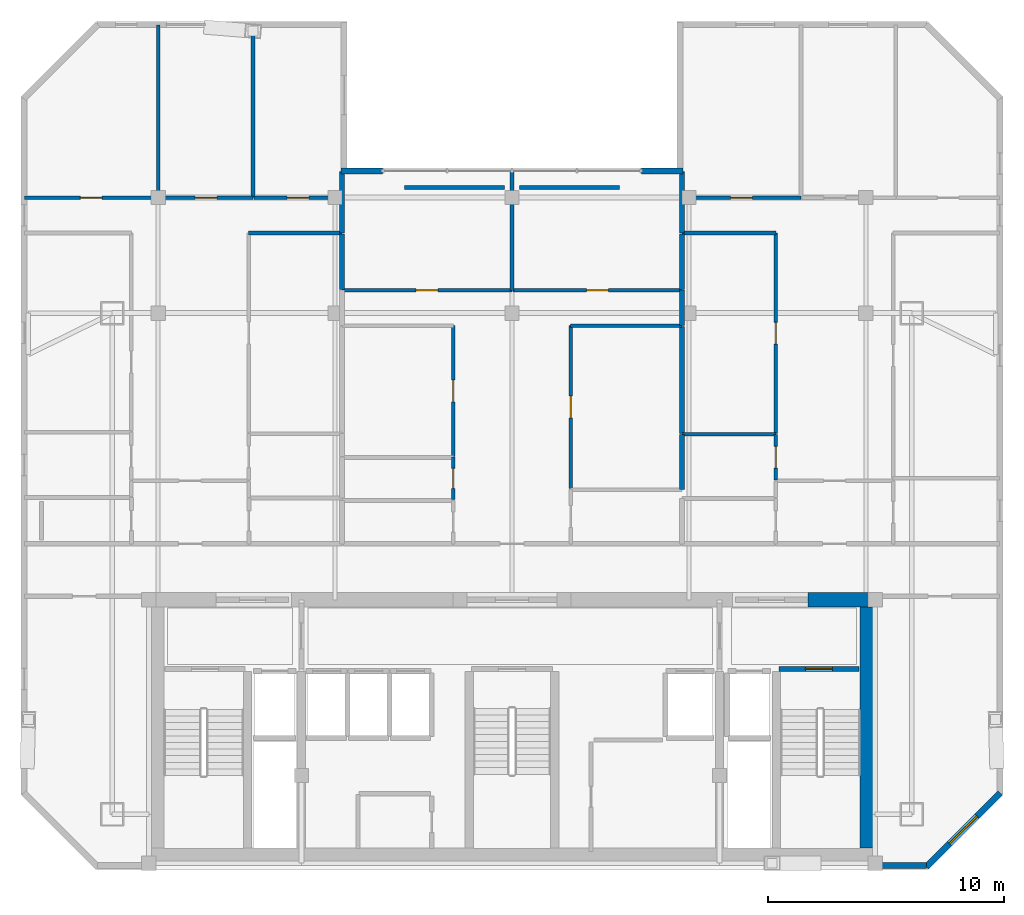
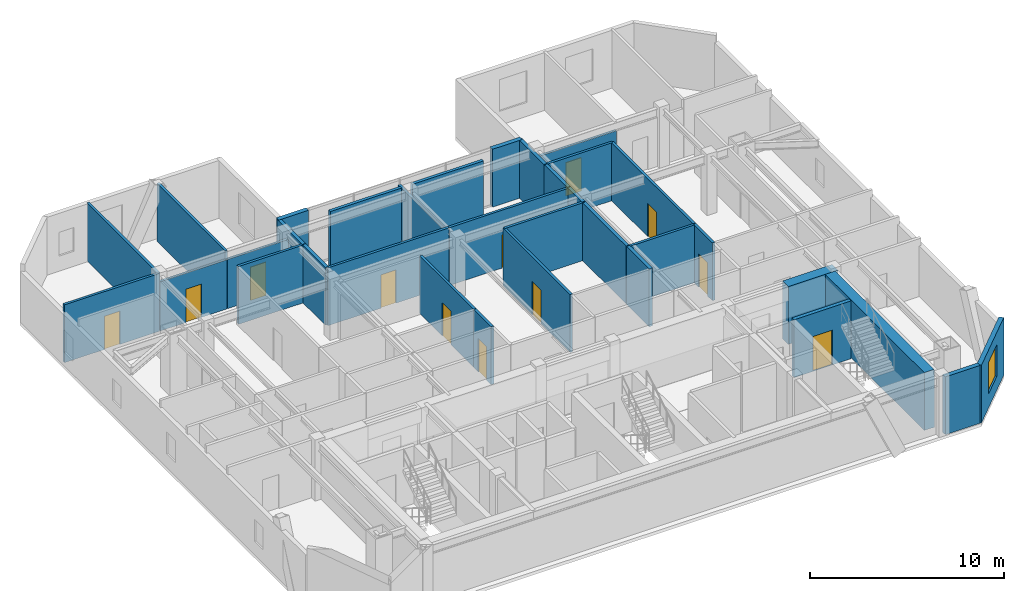
# One storey, part 8 of 11: 34 walls, 12 doors, 1 window, 13 openings.
"""IFC4 building model written with IfcOpenShell, lengths in metres."""

from ifc_helpers import new_model, si_unit, direction, frame, frame_2d, origin, place, context, subcontext, project, spatial, rectangle, extrude, material, layer, layer_set, type_object, element, fill, save


model = new_model("IFC4")

# Units and contexts
model_context = context("Model", 3, precision=1e-05, world=origin(), true_north=direction((0.0, 1.0)))
body_context = subcontext(model_context, "Body", "Model", "MODEL_VIEW")
ifc_project = project(units=[si_unit("LENGTHUNIT", "METRE"), si_unit("AREAUNIT", "SQUARE_METRE"), si_unit("VOLUMEUNIT", "CUBIC_METRE"), si_unit("PLANEANGLEUNIT", "RADIAN"), si_unit("MASSUNIT", "GRAM", prefix="KILO")], contexts=[model_context])

# Site, building, storey
site_placement = place(None, origin())
site = spatial("IfcSite", under=ifc_project, at=site_placement, CompositionType="ELEMENT")
building_placement = place(site_placement, origin())
building = spatial("IfcBuilding", under=site, at=building_placement, Name="Ventersveld Concourse Tower", CompositionType="ELEMENT")
storey_placement = place(building_placement, frame((0.0, 0.0, 256.75)))
storey = spatial("IfcBuildingStorey", under=building, at=storey_placement, Name="L63", CompositionType="ELEMENT", Elevation=256.75)

# Walls
ifc_material_1 = material(Name="Concrete C50/60", Category="concrete")
ifc_layer_1 = layer(ifc_material_1, 0.60009765625)
ifc_layer_set_1 = layer_set([ifc_layer_1], Name="Concrete C50/60")
wall_type_1 = type_object("IfcWallType", Name="WL-CORE-600", PredefinedType="SHEAR", material=ifc_layer_set_1)
wall_1_placement = place(storey_placement, frame((43.800048828125, 0.919921875, 0.0), z_axis=(0.0, 0.0, 1.0), x_axis=(0.0, 1.0, 0.0)))
element("IfcWall", 1, at=wall_1_placement, inside=storey, type_object=wall_type_1, Name="L63 Rear Core East Shear Wall", PredefinedType="SHEAR", context=body_context, shape_type="SweptSolid", body=[
    extrude(rectangle(XDim=10.530029296875, YDim=0.60009765625, at=frame_2d((5.26513671875, 0.0))), origin(), (0.0, 0.0, 1.0), 3.64990234375),
])
wall_2_placement = place(storey_placement, frame((41.300048828125, 11.449951171875, 0.0), z_axis=(0.0, 0.0, 1.0), x_axis=(1.0, 0.0, 0.0)))
element("IfcWall", 2, at=wall_2_placement, inside=storey, type_object=wall_type_1, Name="L63 Rear Core North Shear Wall NE", PredefinedType="SHEAR", context=body_context, shape_type="SweptSolid", body=[
    extrude(rectangle(XDim=2.949951171875, YDim=0.60009765625, at=frame_2d((1.47509765625, 0.0))), origin(), (0.0, 0.0, 1.0), 3.64990234375),
])
ifc_material_2 = material(Name="Fire-rated autoclaved aerated masonry blockwork", Category="masonry")
ifc_layer_2 = layer(ifc_material_2, 0.179931640625)
ifc_layer_set_2 = layer_set([ifc_layer_2], Name="Fire-rated autoclaved aerated masonry blockwork")
wall_type_2 = type_object("IfcWallType", Name="WL-CORR-180", PredefinedType="PARTITIONING", material=ifc_layer_set_2)
for number, where, z_axis, x_axis, name in (
    (3, (24.182861328125, 28.92626953125, 0.0), (0.0, 0.0, 1.0), (1.0, 0.0, 0.0), "L63 Room Enclosure Wall SP-L63-63CM-BR1"),
    (4, (29.074951171875, 28.92626953125, 0.0), (0.0, 0.0, 1.0), (1.0, 0.0, 0.0), "L63 Room Enclosure Wall SP-L63-63CM-BR2"),
):
    element("IfcWall", number, at=place(storey_placement, frame(where, z_axis=z_axis, x_axis=x_axis)), inside=storey, type_object=wall_type_2, Name=name, PredefinedType="PARTITIONING", context=body_context, shape_type="SweptSolid", body=[
        extrude(rectangle(XDim=4.2421875, YDim=0.179931640625, at=frame_2d((2.12109375, 0.0))), origin(), (0.0, 0.0, 1.0), 3.64990234375),
    ])
ifc_layer_3 = layer(ifc_material_2, 0.199951171875)
ifc_layer_set_3 = layer_set([ifc_layer_3], Name="Fire-rated autoclaved aerated masonry blockwork")
wall_type_3 = type_object("IfcWallType", Name="WL-DEMISE-200", PredefinedType="PARTITIONING", material=ifc_layer_set_3)
wall_3_placement = place(storey_placement, frame((21.5400390625, 26.9951171875, 0.0), z_axis=(0.0, 0.0, 1.0), x_axis=(0.0, 1.0, 0.0)))
element("IfcWall", 5, at=wall_3_placement, inside=storey, type_object=wall_type_3, Name="L63 Interior Partition SP-L63-63CW-LIV-SP-L63-63CM-BR1", PredefinedType="PARTITIONING", context=body_context, shape_type="SweptSolid", body=[
    extrude(rectangle(XDim=2.62158203125, YDim=0.199951171875, at=frame_2d((1.310791015625, 0.0))), origin(), (0.0, 0.0, 1.0), 3.64990234375),
])
wall_4_placement = place(storey_placement, frame((21.5400390625, 24.611328125, 0.0), z_axis=(0.0, 0.0, 1.0), x_axis=(0.0, 1.0, 0.0)))
element("IfcWall", 6, at=wall_4_placement, inside=storey, type_object=wall_type_3, Name="L63 Interior Partition SP-L63-63CW-DENR-SP-L63-63CM-BR1", PredefinedType="PARTITIONING", context=body_context, shape_type="SweptSolid", body=[
    extrude(rectangle(XDim=2.353759765625, YDim=0.199951171875, at=frame_2d((1.1767578125, 0.0))), origin(), (0.0, 0.0, 1.0), 3.64990234375),
])
wall_5_placement = place(storey_placement, frame((35.9599609375, 26.9951171875, 0.0), z_axis=(0.0, 0.0, 1.0), x_axis=(0.0, 1.0, 0.0)))
element("IfcWall", 7, at=wall_5_placement, inside=storey, type_object=wall_type_3, Name="L63 Interior Partition SP-L63-63CE-LIV-SP-L63-63CM-BR2", PredefinedType="PARTITIONING", context=body_context, shape_type="SweptSolid", body=[
    extrude(rectangle(XDim=2.62158203125, YDim=0.199951171875, at=frame_2d((1.310791015625, 0.0))), origin(), (0.0, 0.0, 1.0), 3.64990234375),
])
wall_6_placement = place(storey_placement, frame((35.9599609375, 16.119384765625, 0.0), z_axis=(0.0, 0.0, 1.0), x_axis=(0.0, 1.0, 0.0)))
element("IfcWall", 8, at=wall_6_placement, inside=storey, type_object=wall_type_3, Name="L63 Interior Partition SP-L63-63CE-PANL0-SP-L63-63CM-DENR", PredefinedType="PARTITIONING", context=body_context, shape_type="SweptSolid", body=[
    extrude(rectangle(XDim=2.34521484375, YDim=0.199951171875, at=frame_2d((1.172607421875, 0.0))), origin(), (0.0, 0.0, 1.0), 3.64990234375),
])
wall_7_placement = place(storey_placement, frame((35.9599609375, 23.0712890625, 0.0), z_axis=(0.0, 0.0, 1.0), x_axis=(0.0, 1.0, 0.0)))
element("IfcWall", 9, at=wall_7_placement, inside=storey, type_object=wall_type_3, Name="L63 Interior Partition SP-L63-63CE-DENL-SP-L63-63CM-LIV", PredefinedType="PARTITIONING", context=body_context, shape_type="SweptSolid", body=[
    extrude(rectangle(XDim=1.510009765625, YDim=0.199951171875, at=frame_2d((0.7548828125, 0.0))), origin(), (0.0, 0.0, 1.0), 3.64990234375),
])
wall_8_placement = place(storey_placement, frame((35.9599609375, 18.49462890625, 0.0), z_axis=(0.0, 0.0, 1.0), x_axis=(0.0, 1.0, 0.0)))
element("IfcWall", 10, at=wall_8_placement, inside=storey, type_object=wall_type_3, Name="L63 Interior Partition SP-L63-63CE-DENL-SP-L63-63CM-DENR", PredefinedType="PARTITIONING", context=body_context, shape_type="SweptSolid", body=[
    extrude(rectangle(XDim=4.546630859375, YDim=0.199951171875, at=frame_2d((2.2734375, 0.0))), origin(), (0.0, 0.0, 1.0), 3.64990234375),
])
wall_9_placement = place(storey_placement, frame((35.9599609375, 24.611328125, 0.0), z_axis=(0.0, 0.0, 1.0), x_axis=(0.0, 1.0, 0.0)))
element("IfcWall", 11, at=wall_9_placement, inside=storey, type_object=wall_type_3, Name="L63 Interior Partition SP-L63-63CE-DENL-SP-L63-63CM-BR2", PredefinedType="PARTITIONING", context=body_context, shape_type="SweptSolid", body=[
    extrude(rectangle(XDim=2.353759765625, YDim=0.199951171875, at=frame_2d((1.1767578125, 0.0))), origin(), (0.0, 0.0, 1.0), 3.64990234375),
])

# Wall, opening, door
ifc_layer_4 = layer(ifc_material_2, 0.219970703125)
ifc_layer_set_4 = layer_set([ifc_layer_4], Name="Fire-rated autoclaved aerated masonry blockwork")
wall_type_4 = type_object("IfcWallType", Name="WL-HOIST-220", PredefinedType="SOLIDWALL", material=ifc_layer_set_4)
wall_10_placement = place(storey_placement, frame((40.06005859375, 8.52001953125, 0.0), z_axis=(0.0, 0.0, 1.0), x_axis=(1.0, 0.0, 0.0)))
wall_10 = element("IfcWall", 12, at=wall_10_placement, inside=storey, type_object=wall_type_4, Name="L63 Escape Stair ST02 Fire Wall", PredefinedType="SOLIDWALL", context=body_context, shape_type="SweptSolid", body=[
    extrude(rectangle(XDim=3.39990234375, YDim=0.219970703125, at=frame_2d((1.699951171875, 0.0))), origin(), (0.0, 0.0, 1.0), 3.64990234375),
])
opening_1_placement = place(wall_10_placement, frame((1.125, 0.0, 0.0)))
opening_1 = element("IfcOpeningElement", 13, at=opening_1_placement, cuts=wall_10, Name="Opening FD1", PredefinedType="OPENING", context=body_context, shape_type="SweptSolid", body=[
    extrude(rectangle(XDim=1.14990234375, YDim=2.199951171875, at=frame_2d((0.574951171875, 1.10009765625))), frame((0.0, 0.1201171875, 0.0), z_axis=(0.0, -1.0, 0.0), x_axis=(1.0, 0.0, 0.0)), (0.0, 0.0, 1.0), 0.239990234375),
])
ifc_material_3 = material(Name="Galvanised painted steel", Category="steel")
door_type_1 = type_object("IfcDoorType", Name="DR-STAIR-115", OperationType="NOTDEFINED", PredefinedType="DOOR", material=ifc_material_3)
door_1_placement = place(opening_1_placement, origin())
door_1 = element("IfcDoor", 14, at=door_1_placement, inside=storey, type_object=door_type_1, Name="L63 Escape Stair Door ST02 (SD-L63-2971)", OperationType="SINGLE_SWING_RIGHT", OverallHeight=2.199951171875, OverallWidth=1.14990234375, PredefinedType="DOOR", context=body_context, shape_type="SweptSolid", body=[
    extrude(rectangle(XDim=1.14990234375, YDim=2.199951171875, at=frame_2d((0.574951171875, 1.10009765625))), frame((0.0, 0.02490234375, 0.0), z_axis=(0.0, -1.0, 0.0), x_axis=(1.0, 0.0, 0.0)), (0.0, 0.0, 1.0), 0.050048828125),
])
fill(opening_1, door_1)

# Wall
ifc_material_4 = material(Name="Autoclaved aerated masonry blockwork", Category="masonry")
ifc_layer_5 = layer(ifc_material_4, 0.14990234375)
ifc_layer_set_5 = layer_set([ifc_layer_5], Name="Autoclaved aerated masonry blockwork")
wall_type_5 = type_object("IfcWallType", Name="WL-INT-150", PredefinedType="PARTITIONING", material=ifc_layer_set_5)
wall_11_placement = place(storey_placement, frame((17.5869140625, 27.0, 0.0), z_axis=(0.0, 0.0, 1.0), x_axis=(1.0, 0.0, 0.0)))
element("IfcWall", 15, at=wall_11_placement, inside=storey, type_object=wall_type_5, Name="L63 Interior Partition SP-L63-63CW-LIV-SP-L63-63CW-DENR", PredefinedType="PARTITIONING", context=body_context, shape_type="SweptSolid", body=[
    extrude(rectangle(XDim=3.9580078125, YDim=0.14990234375, at=frame_2d((1.97900390625, 0.0))), origin(), (0.0, 0.0, 1.0), 3.64990234375),
])

# Wall, opening, door
wall_12_placement = place(storey_placement, frame((8.076171875, 28.5, 0.0), z_axis=(0.0, 0.0, 1.0), x_axis=(1.0, 0.0, 0.0)))
wall_12 = element("IfcWall", 16, at=wall_12_placement, inside=storey, type_object=wall_type_5, Name="L63 Interior Partition SP-L63-63CW-LIV-SP-L63-63CW-BR1", PredefinedType="PARTITIONING", context=body_context, shape_type="SweptSolid", body=[
    extrude(rectangle(XDim=5.6787109375, YDim=0.14990234375, at=frame_2d((2.83935546875, 0.0))), origin(), (0.0, 0.0, 1.0), 3.64990234375),
])
opening_2_placement = place(wall_12_placement, frame((2.37939453125, 0.0, 0.0)))
opening_2 = element("IfcOpeningElement", 17, at=opening_2_placement, cuts=wall_12, Name="Opening ID1", PredefinedType="OPENING", context=body_context, shape_type="SweptSolid", body=[
    extrude(rectangle(XDim=0.919921875, YDim=2.10009765625, at=frame_2d((0.4599609375, 1.050048828125))), frame((0.0, 0.0849609375, 0.0), z_axis=(0.0, -1.0, 0.0), x_axis=(1.0, 0.0, 0.0)), (0.0, 0.0, 1.0), 0.169921875),
])
ifc_material_5 = material(Name="Solid-core hardwood veneer timber", Category="wood")
door_type_2 = type_object("IfcDoorType", Name="DR-ROOM-092", OperationType="NOTDEFINED", PredefinedType="DOOR", material=ifc_material_5)
door_2_placement = place(opening_2_placement, origin())
door_2 = element("IfcDoor", 18, at=door_2_placement, inside=storey, type_object=door_type_2, Name="L63 Interior Door SP-L63-63CW-LIV to SP-L63-63CW-BR1 (D-L63-2992)", OperationType="SINGLE_SWING_RIGHT", OverallHeight=2.10009765625, OverallWidth=0.919921875, PredefinedType="DOOR", context=body_context, shape_type="SweptSolid", body=[
    extrude(rectangle(XDim=0.919921875, YDim=2.10009765625, at=frame_2d((0.4599609375, 1.050048828125))), frame((0.0, 0.02490234375, 0.0), z_axis=(0.0, -1.0, 0.0), x_axis=(1.0, 0.0, 0.0)), (0.0, 0.0, 1.0), 0.050048828125),
])
fill(opening_2, door_2)

wall_13_placement = place(storey_placement, frame((13.784912109375, 28.5, 0.0), z_axis=(0.0, 0.0, 1.0), x_axis=(1.0, 0.0, 0.0)))
wall_13 = element("IfcWall", 19, at=wall_13_placement, inside=storey, type_object=wall_type_5, Name="L63 Interior Partition SP-L63-63CW-LIV-SP-L63-63CW-BR2", PredefinedType="PARTITIONING", context=body_context, shape_type="SweptSolid", body=[
    extrude(rectangle(XDim=3.98876953125, YDim=0.14990234375, at=frame_2d((1.994384765625, 0.0))), origin(), (0.0, 0.0, 1.0), 3.10546875),
])
opening_3_placement = place(wall_13_placement, frame((1.5341796875, 0.0, 0.0)))
opening_3 = element("IfcOpeningElement", 20, at=opening_3_placement, cuts=wall_13, Name="Opening ID1", PredefinedType="OPENING", context=body_context, shape_type="SweptSolid", body=[
    extrude(rectangle(XDim=0.919921875, YDim=2.10009765625, at=frame_2d((0.4599609375, 1.050048828125))), frame((0.0, 0.0849609375, 0.0), z_axis=(0.0, -1.0, 0.0), x_axis=(1.0, 0.0, 0.0)), (0.0, 0.0, 1.0), 0.169921875),
])
door_3_placement = place(opening_3_placement, origin())
door_3 = element("IfcDoor", 21, at=door_3_placement, inside=storey, type_object=door_type_2, Name="L63 Interior Door SP-L63-63CW-LIV to SP-L63-63CW-BR2 (D-L63-2993)", OperationType="SINGLE_SWING_LEFT", OverallHeight=2.10009765625, OverallWidth=0.919921875, PredefinedType="DOOR", context=body_context, shape_type="SweptSolid", body=[
    extrude(rectangle(XDim=0.919921875, YDim=2.10009765625, at=frame_2d((0.4599609375, 1.050048828125))), frame((0.0, 0.02490234375, 0.0), z_axis=(0.0, -1.0, 0.0), x_axis=(1.0, 0.0, 0.0)), (0.0, 0.0, 1.0), 0.050048828125),
])
fill(opening_3, door_3)

wall_14_placement = place(storey_placement, frame((17.8037109375, 28.5, 0.0), z_axis=(0.0, 0.0, 1.0), x_axis=(1.0, 0.0, 0.0)))
wall_14 = element("IfcWall", 22, at=wall_14_placement, inside=storey, type_object=wall_type_5, Name="L63 Interior Partition SP-L63-63CW-LIV-SP-L63-63CW-BR3", PredefinedType="PARTITIONING", context=body_context, shape_type="SweptSolid", body=[
    extrude(rectangle(XDim=3.7412109375, YDim=0.14990234375, at=frame_2d((1.87060546875, 0.0))), origin(), (0.0, 0.0, 1.0), 3.10546875),
])
opening_4_placement = place(wall_14_placement, frame((1.41064453125, 0.0, 0.0)))
opening_4 = element("IfcOpeningElement", 23, at=opening_4_placement, cuts=wall_14, Name="Opening ID1", PredefinedType="OPENING", context=body_context, shape_type="SweptSolid", body=[
    extrude(rectangle(XDim=0.919921875, YDim=2.10009765625, at=frame_2d((0.4599609375, 1.050048828125))), frame((0.0, 0.0849609375, 0.0), z_axis=(0.0, -1.0, 0.0), x_axis=(1.0, 0.0, 0.0)), (0.0, 0.0, 1.0), 0.169921875),
])
door_4_placement = place(opening_4_placement, origin())
door_4 = element("IfcDoor", 24, at=door_4_placement, inside=storey, type_object=door_type_2, Name="L63 Interior Door SP-L63-63CW-LIV to SP-L63-63CW-BR3 (D-L63-2994)", OperationType="SINGLE_SWING_RIGHT", OverallHeight=2.10009765625, OverallWidth=0.919921875, PredefinedType="DOOR", context=body_context, shape_type="SweptSolid", body=[
    extrude(rectangle(XDim=0.919921875, YDim=2.10009765625, at=frame_2d((0.4599609375, 1.050048828125))), frame((0.0, 0.02490234375, 0.0), z_axis=(0.0, -1.0, 0.0), x_axis=(1.0, 0.0, 0.0)), (0.0, 0.0, 1.0), 0.050048828125),
])
fill(opening_4, door_4)

# Walls
wall_15_placement = place(storey_placement, frame((13.75, 28.4951171875, 0.0), z_axis=(0.0, 0.0, 1.0), x_axis=(0.0, 1.0, 0.0)))
element("IfcWall", 25, at=wall_15_placement, inside=storey, type_object=wall_type_5, Name="L63 Interior Partition SP-L63-63CW-BR1-SP-L63-63CW-BR2", PredefinedType="PARTITIONING", context=body_context, shape_type="SweptSolid", body=[
    extrude(rectangle(XDim=7.32177734375, YDim=0.14990234375, at=frame_2d((3.660888671875, 0.0))), origin(), (0.0, 0.0, 1.0), 3.64990234375),
])
wall_16_placement = place(storey_placement, frame((17.7685546875, 28.4951171875, 0.0), z_axis=(0.0, 0.0, 1.0), x_axis=(0.0, 1.0, 0.0)))
element("IfcWall", 26, at=wall_16_placement, inside=storey, type_object=wall_type_5, Name="L63 Interior Partition SP-L63-63CW-BR2-SP-L63-63CW-BR3", PredefinedType="PARTITIONING", context=body_context, shape_type="SweptSolid", body=[
    extrude(rectangle(XDim=7.04833984375, YDim=0.14990234375, at=frame_2d((3.524169921875, 0.0))), origin(), (0.0, 0.0, 1.0), 3.64990234375),
])

# Wall, opening, door
wall_17_placement = place(storey_placement, frame((39.934326171875, 16.525390625, 0.0), z_axis=(0.0, 0.0, 1.0), x_axis=(0.0, 1.0, 0.0)))
wall_17 = element("IfcWall", 27, at=wall_17_placement, inside=storey, type_object=wall_type_5, Name="L63 Interior Partition SP-L63-63CE-LIV-SP-L63-63CE-PANL0", PredefinedType="PARTITIONING", context=body_context, shape_type="SweptSolid", body=[
    extrude(rectangle(XDim=1.939208984375, YDim=0.14990234375, at=frame_2d((0.9697265625, 0.0))), origin(), (0.0, 0.0, 1.0), 3.64990234375),
])
opening_5_placement = place(wall_17_placement, frame((0.509521484375, 0.0, 0.0)))
opening_5 = element("IfcOpeningElement", 28, at=opening_5_placement, cuts=wall_17, Name="Opening ID1", PredefinedType="OPENING", context=body_context, shape_type="SweptSolid", body=[
    extrude(rectangle(XDim=0.919921875, YDim=2.10009765625, at=frame_2d((0.4599609375, 1.050048828125))), frame((0.0, 0.0849609375, 0.0), z_axis=(0.0, -1.0, 0.0), x_axis=(1.0, 0.0, 0.0)), (0.0, 0.0, 1.0), 0.169921875),
])
door_5_placement = place(opening_5_placement, origin())
door_5 = element("IfcDoor", 29, at=door_5_placement, inside=storey, type_object=door_type_2, Name="L63 Interior Door SP-L63-63CE-LIV to SP-L63-63CE-PANL0 (D-L63-2998)", OperationType="SINGLE_SWING_RIGHT", OverallHeight=2.10009765625, OverallWidth=0.919921875, PredefinedType="DOOR", context=body_context, shape_type="SweptSolid", body=[
    extrude(rectangle(XDim=0.919921875, YDim=2.10009765625, at=frame_2d((0.4599609375, 1.050048828125))), frame((0.0, 0.02490234375, 0.0), z_axis=(0.0, -1.0, 0.0), x_axis=(1.0, 0.0, 0.0)), (0.0, 0.0, 1.0), 0.050048828125),
])
fill(opening_5, door_5)

wall_18_placement = place(storey_placement, frame((39.934326171875, 18.49462890625, 0.0), z_axis=(0.0, 0.0, 1.0), x_axis=(0.0, 1.0, 0.0)))
wall_18 = element("IfcWall", 30, at=wall_18_placement, inside=storey, type_object=wall_type_5, Name="L63 Interior Partition SP-L63-63CE-LIV-SP-L63-63CE-DENL", PredefinedType="PARTITIONING", context=body_context, shape_type="SweptSolid", body=[
    extrude(rectangle(XDim=8.51025390625, YDim=0.14990234375, at=frame_2d((4.255126953125, 0.0))), origin(), (0.0, 0.0, 1.0), 3.64990234375),
])
opening_6_placement = place(wall_18_placement, frame((3.795166015625, 0.0, 0.0)))
opening_6 = element("IfcOpeningElement", 31, at=opening_6_placement, cuts=wall_18, Name="Opening ID1", PredefinedType="OPENING", context=body_context, shape_type="SweptSolid", body=[
    extrude(rectangle(XDim=0.919921875, YDim=2.10009765625, at=frame_2d((0.4599609375, 1.050048828125))), frame((0.0, 0.0849609375, 0.0), z_axis=(0.0, -1.0, 0.0), x_axis=(1.0, 0.0, 0.0)), (0.0, 0.0, 1.0), 0.169921875),
])
door_6_placement = place(opening_6_placement, origin())
door_6 = element("IfcDoor", 32, at=door_6_placement, inside=storey, type_object=door_type_2, Name="L63 Interior Door SP-L63-63CE-LIV to SP-L63-63CE-DENL (D-L63-2999)", OperationType="SINGLE_SWING_LEFT", OverallHeight=2.10009765625, OverallWidth=0.919921875, PredefinedType="DOOR", context=body_context, shape_type="SweptSolid", body=[
    extrude(rectangle(XDim=0.919921875, YDim=2.10009765625, at=frame_2d((0.4599609375, 1.050048828125))), frame((0.0, 0.02490234375, 0.0), z_axis=(0.0, -1.0, 0.0), x_axis=(1.0, 0.0, 0.0)), (0.0, 0.0, 1.0), 0.050048828125),
])
fill(opening_6, door_6)

# Wall
wall_19_placement = place(storey_placement, frame((35.955078125, 27.0, 0.0), z_axis=(0.0, 0.0, 1.0), x_axis=(1.0, 0.0, 0.0)))
element("IfcWall", 33, at=wall_19_placement, inside=storey, type_object=wall_type_5, Name="L63 Interior Partition SP-L63-63CE-LIV-SP-L63-63CE-DENL", PredefinedType="PARTITIONING", context=body_context, shape_type="SweptSolid", body=[
    extrude(rectangle(XDim=3.984130859375, YDim=0.14990234375, at=frame_2d((1.9921875, 0.0))), origin(), (0.0, 0.0, 1.0), 3.64990234375),
])

# Wall, opening, door
wall_20_placement = place(storey_placement, frame((35.955078125, 28.5, 0.0), z_axis=(0.0, 0.0, 1.0), x_axis=(1.0, 0.0, 0.0)))
wall_20 = element("IfcWall", 34, at=wall_20_placement, inside=storey, type_object=wall_type_5, Name="L63 Interior Partition SP-L63-63CE-LIV-SP-L63-63CE-BR1", PredefinedType="PARTITIONING", context=body_context, shape_type="SweptSolid", body=[
    extrude(rectangle(XDim=5.052001953125, YDim=0.14990234375, at=frame_2d((2.52587890625, 0.0))), origin(), (0.0, 0.0, 1.0), 3.10546875),
])
opening_7_placement = place(wall_20_placement, frame((2.066162109375, 0.0, 0.0)))
opening_7 = element("IfcOpeningElement", 35, at=opening_7_placement, cuts=wall_20, Name="Opening ID1", PredefinedType="OPENING", context=body_context, shape_type="SweptSolid", body=[
    extrude(rectangle(XDim=0.919921875, YDim=2.10009765625, at=frame_2d((0.4599609375, 1.050048828125))), frame((0.0, 0.0849609375, 0.0), z_axis=(0.0, -1.0, 0.0), x_axis=(1.0, 0.0, 0.0)), (0.0, 0.0, 1.0), 0.169921875),
])
door_7_placement = place(opening_7_placement, origin())
door_7 = element("IfcDoor", 36, at=door_7_placement, inside=storey, type_object=door_type_2, Name="L63 Interior Door SP-L63-63CE-LIV to SP-L63-63CE-BR1 (D-L63-3001)", OperationType="SINGLE_SWING_LEFT", OverallHeight=2.10009765625, OverallWidth=0.919921875, PredefinedType="DOOR", context=body_context, shape_type="SweptSolid", body=[
    extrude(rectangle(XDim=0.919921875, YDim=2.10009765625, at=frame_2d((0.4599609375, 1.050048828125))), frame((0.0, 0.02490234375, 0.0), z_axis=(0.0, -1.0, 0.0), x_axis=(1.0, 0.0, 0.0)), (0.0, 0.0, 1.0), 0.050048828125),
])
fill(opening_7, door_7)

# Wall
wall_21_placement = place(storey_placement, frame((35.955078125, 18.459716796875, 0.0), z_axis=(0.0, 0.0, 1.0), x_axis=(1.0, 0.0, 0.0)))
element("IfcWall", 37, at=wall_21_placement, inside=storey, type_object=wall_type_5, Name="L63 Interior Partition SP-L63-63CE-PANL0-SP-L63-63CE-DENL", PredefinedType="PARTITIONING", context=body_context, shape_type="SweptSolid", body=[
    extrude(rectangle(XDim=3.984130859375, YDim=0.14990234375, at=frame_2d((1.9921875, 0.0))), origin(), (0.0, 0.0, 1.0), 3.64990234375),
])

# Wall, opening, door
wall_22_placement = place(storey_placement, frame((26.260009765625, 17.52490234375, 0.0), z_axis=(0.0, 0.0, 1.0), x_axis=(0.0, 1.0, 0.0)))
wall_22 = element("IfcWall", 38, at=wall_22_placement, inside=storey, type_object=wall_type_5, Name="L63 Interior Partition SP-L63-63CM-LIV-SP-L63-63CM-DENL", PredefinedType="PARTITIONING", context=body_context, shape_type="SweptSolid", body=[
    extrude(rectangle(XDim=5.556396484375, YDim=0.14990234375, at=frame_2d((2.7783203125, 0.0))), origin(), (0.0, 0.0, 1.0), 3.64990234375),
])
opening_8_placement = place(wall_22_placement, frame((2.318115234375, 0.0, 0.0)))
opening_8 = element("IfcOpeningElement", 39, at=opening_8_placement, cuts=wall_22, Name="Opening ID1", PredefinedType="OPENING", context=body_context, shape_type="SweptSolid", body=[
    extrude(rectangle(XDim=0.919921875, YDim=2.10009765625, at=frame_2d((0.4599609375, 1.050048828125))), frame((0.0, 0.0849609375, 0.0), z_axis=(0.0, -1.0, 0.0), x_axis=(1.0, 0.0, 0.0)), (0.0, 0.0, 1.0), 0.169921875),
])
door_8_placement = place(opening_8_placement, origin())
door_8 = element("IfcDoor", 40, at=door_8_placement, inside=storey, type_object=door_type_2, Name="L63 Interior Door SP-L63-63CM-LIV to SP-L63-63CM-DENL (D-L63-3006)", OperationType="SINGLE_SWING_RIGHT", OverallHeight=2.10009765625, OverallWidth=0.919921875, PredefinedType="DOOR", context=body_context, shape_type="SweptSolid", body=[
    extrude(rectangle(XDim=0.919921875, YDim=2.10009765625, at=frame_2d((0.4599609375, 1.050048828125))), frame((0.0, 0.02490234375, 0.0), z_axis=(0.0, -1.0, 0.0), x_axis=(1.0, 0.0, 0.0)), (0.0, 0.0, 1.0), 0.050048828125),
])
fill(opening_8, door_8)

wall_23_placement = place(storey_placement, frame((31.239990234375, 16.159423828125, 0.0), z_axis=(0.0, 0.0, 1.0), x_axis=(0.0, 1.0, 0.0)))
wall_23 = element("IfcWall", 41, at=wall_23_placement, inside=storey, type_object=wall_type_5, Name="L63 Interior Partition SP-L63-63CM-LIV-SP-L63-63CM-DENR", PredefinedType="PARTITIONING", context=body_context, shape_type="SweptSolid", body=[
    extrude(rectangle(XDim=6.921875, YDim=0.14990234375, at=frame_2d((3.4609375, 0.0))), origin(), (0.0, 0.0, 1.0), 3.64990234375),
])
opening_9_placement = place(wall_23_placement, frame((3.0009765625, 0.0, 0.0)))
opening_9 = element("IfcOpeningElement", 42, at=opening_9_placement, cuts=wall_23, Name="Opening ID1", PredefinedType="OPENING", context=body_context, shape_type="SweptSolid", body=[
    extrude(rectangle(XDim=0.919921875, YDim=2.10009765625, at=frame_2d((0.4599609375, 1.050048828125))), frame((0.0, 0.0849609375, 0.0), z_axis=(0.0, -1.0, 0.0), x_axis=(1.0, 0.0, 0.0)), (0.0, 0.0, 1.0), 0.169921875),
])
door_9_placement = place(opening_9_placement, origin())
door_9 = element("IfcDoor", 43, at=door_9_placement, inside=storey, type_object=door_type_2, Name="L63 Interior Door SP-L63-63CM-LIV to SP-L63-63CM-DENR (D-L63-3008)", OperationType="SINGLE_SWING_RIGHT", OverallHeight=2.10009765625, OverallWidth=0.919921875, PredefinedType="DOOR", context=body_context, shape_type="SweptSolid", body=[
    extrude(rectangle(XDim=0.919921875, YDim=2.10009765625, at=frame_2d((0.4599609375, 1.050048828125))), frame((0.0, 0.02490234375, 0.0), z_axis=(0.0, -1.0, 0.0), x_axis=(1.0, 0.0, 0.0)), (0.0, 0.0, 1.0), 0.050048828125),
])
fill(opening_9, door_9)

# Wall
wall_24_placement = place(storey_placement, frame((31.235107421875, 23.076416015625, 0.0), z_axis=(0.0, 0.0, 1.0), x_axis=(1.0, 0.0, 0.0)))
element("IfcWall", 44, at=wall_24_placement, inside=storey, type_object=wall_type_5, Name="L63 Interior Partition SP-L63-63CM-LIV-SP-L63-63CM-DENR", PredefinedType="PARTITIONING", context=body_context, shape_type="SweptSolid", body=[
    extrude(rectangle(XDim=4.72998046875, YDim=0.14990234375, at=frame_2d((2.364990234375, 0.0))), origin(), (0.0, 0.0, 1.0), 3.64990234375),
])

# Wall, opening, door
wall_25_placement = place(storey_placement, frame((21.534912109375, 24.576416015625, 0.0), z_axis=(0.0, 0.0, 1.0), x_axis=(1.0, 0.0, 0.0)))
wall_25 = element("IfcWall", 45, at=wall_25_placement, inside=storey, type_object=wall_type_5, Name="L63 Interior Partition SP-L63-63CM-LIV-SP-L63-63CM-BR1", PredefinedType="PARTITIONING", context=body_context, shape_type="SweptSolid", body=[
    extrude(rectangle(XDim=7.219970703125, YDim=0.14990234375, at=frame_2d((3.60986328125, 0.0))), origin(), (0.0, 0.0, 1.0), 3.64990234375),
])
opening_10_placement = place(wall_25_placement, frame((3.14990234375, 0.0, 0.0)))
opening_10 = element("IfcOpeningElement", 46, at=opening_10_placement, cuts=wall_25, Name="Opening ID1", PredefinedType="OPENING", context=body_context, shape_type="SweptSolid", body=[
    extrude(rectangle(XDim=0.919921875, YDim=2.10009765625, at=frame_2d((0.4599609375, 1.050048828125))), frame((0.0, 0.0849609375, 0.0), z_axis=(0.0, -1.0, 0.0), x_axis=(1.0, 0.0, 0.0)), (0.0, 0.0, 1.0), 0.169921875),
])
door_10_placement = place(opening_10_placement, origin())
door_10 = element("IfcDoor", 47, at=door_10_placement, inside=storey, type_object=door_type_2, Name="L63 Interior Door SP-L63-63CM-LIV to SP-L63-63CM-BR1 (D-L63-3009)", OperationType="SINGLE_SWING_LEFT", OverallHeight=2.10009765625, OverallWidth=0.919921875, PredefinedType="DOOR", context=body_context, shape_type="SweptSolid", body=[
    extrude(rectangle(XDim=0.919921875, YDim=2.10009765625, at=frame_2d((0.4599609375, 1.050048828125))), frame((0.0, 0.02490234375, 0.0), z_axis=(0.0, -1.0, 0.0), x_axis=(1.0, 0.0, 0.0)), (0.0, 0.0, 1.0), 0.050048828125),
])
fill(opening_10, door_10)

wall_26_placement = place(storey_placement, frame((28.784912109375, 24.576416015625, 0.0), z_axis=(0.0, 0.0, 1.0), x_axis=(1.0, 0.0, 0.0)))
wall_26 = element("IfcWall", 48, at=wall_26_placement, inside=storey, type_object=wall_type_5, Name="L63 Interior Partition SP-L63-63CM-LIV-SP-L63-63CM-BR2", PredefinedType="PARTITIONING", context=body_context, shape_type="SweptSolid", body=[
    extrude(rectangle(XDim=7.18017578125, YDim=0.14990234375, at=frame_2d((3.590087890625, 0.0))), origin(), (0.0, 0.0, 1.0), 3.64990234375),
])
opening_11_placement = place(wall_26_placement, frame((3.1298828125, 0.0, 0.0)))
opening_11 = element("IfcOpeningElement", 49, at=opening_11_placement, cuts=wall_26, Name="Opening ID1", PredefinedType="OPENING", context=body_context, shape_type="SweptSolid", body=[
    extrude(rectangle(XDim=0.919921875, YDim=2.10009765625, at=frame_2d((0.4599609375, 1.050048828125))), frame((0.0, 0.0849609375, 0.0), z_axis=(0.0, -1.0, 0.0), x_axis=(1.0, 0.0, 0.0)), (0.0, 0.0, 1.0), 0.169921875),
])
door_11_placement = place(opening_11_placement, origin())
door_11 = element("IfcDoor", 50, at=door_11_placement, inside=storey, type_object=door_type_2, Name="L63 Interior Door SP-L63-63CM-LIV to SP-L63-63CM-BR2 (D-L63-3010)", OperationType="SINGLE_SWING_RIGHT", OverallHeight=2.10009765625, OverallWidth=0.919921875, PredefinedType="DOOR", context=body_context, shape_type="SweptSolid", body=[
    extrude(rectangle(XDim=0.919921875, YDim=2.10009765625, at=frame_2d((0.4599609375, 1.050048828125))), frame((0.0, 0.02490234375, 0.0), z_axis=(0.0, -1.0, 0.0), x_axis=(1.0, 0.0, 0.0)), (0.0, 0.0, 1.0), 0.050048828125),
])
fill(opening_11, door_11)

# Walls
wall_27_placement = place(storey_placement, frame((28.75, 24.5712890625, 0.0), z_axis=(0.0, 0.0, 1.0), x_axis=(0.0, 1.0, 0.0)))
element("IfcWall", 51, at=wall_27_placement, inside=storey, type_object=wall_type_5, Name="L63 Interior Partition SP-L63-63CM-BR1-SP-L63-63CM-BR2", PredefinedType="PARTITIONING", context=body_context, shape_type="SweptSolid", body=[
    extrude(rectangle(XDim=5.041015625, YDim=0.14990234375, at=frame_2d((2.5205078125, 0.0))), origin(), (0.0, 0.0, 1.0), 3.294921875),
])
ifc_material_6 = material(Name="Precast concrete C45/55", Category="concrete")
ifc_layer_6 = layer(ifc_material_6, 0.260009765625)
ifc_layer_set_6 = layer_set([ifc_layer_6], Name="Precast concrete C45/55")
wall_type_6 = type_object("IfcWallType", Name="WL-PREC-260", PredefinedType="SOLIDWALL", material=ifc_layer_set_6)
wall_28_placement = place(storey_placement, frame((44.25, 0.179931640625, 0.0), z_axis=(0.0, 0.0, 1.0), x_axis=(1.0, 0.0, 0.0)))
element("IfcWall", 52, at=wall_28_placement, inside=storey, type_object=wall_type_6, Name="L63 South-East Flank Precast Wall", PredefinedType="SOLIDWALL", context=body_context, shape_type="SweptSolid", body=[
    extrude(rectangle(XDim=2.08349609375, YDim=0.260009765625, at=frame_2d((1.041748046875, 0.0))), origin(), (0.0, 0.0, 1.0), 3.64990234375),
])

# Wall, opening, window
wall_29_placement = place(storey_placement, frame((46.309814453125, 0.1201171875, 0.0), z_axis=(0.0, 0.0, 1.0), x_axis=(0.707079321262, 0.707134240044, 0.0)))
wall_29 = element("IfcWall", 53, at=wall_29_placement, inside=storey, type_object=wall_type_6, Name="L63 Highveld Precast Facade Wall E02", PredefinedType="SOLIDWALL", context=body_context, shape_type="SweptSolid", body=[
    extrude(rectangle(XDim=4.445556640625, YDim=0.260009765625, at=frame_2d((2.22265625, 0.0))), origin(), (0.0, 0.0, 1.0), 3.64990234375),
])
opening_12_placement = place(wall_29_placement, frame((1.397705078125, 0.0, 0.8798828125)))
opening_12 = element("IfcOpeningElement", 54, at=opening_12_placement, cuts=wall_29, Name="Opening W6", PredefinedType="OPENING", context=body_context, shape_type="SweptSolid", body=[
    extrude(rectangle(XDim=1.64990234375, YDim=2.0, at=frame_2d((0.824951171875, 1.0))), frame((0.0, 0.14013671875, 0.0), z_axis=(0.0, -1.0, 0.0), x_axis=(1.0, 0.0, 0.0)), (0.0, 0.0, 1.0), 0.280029296875),
])
ifc_material_7 = material(Name="Tempered acoustic Low-E IGU", Category="glass")
window_type = type_object("IfcWindowType", Name="WIN-165x200", PartitioningType="SINGLE_PANEL", PredefinedType="WINDOW", material=ifc_material_7)
window_placement = place(opening_12_placement, origin())
window = element("IfcWindow", 55, at=window_placement, inside=storey, type_object=window_type, Name="L63 Punched Low-E Window W-0892", OverallHeight=2.0, OverallWidth=1.64990234375, PartitioningType="SINGLE_PANEL", PredefinedType="WINDOW", context=body_context, shape_type="SweptSolid", body=[
    extrude(rectangle(XDim=1.64990234375, YDim=2.0, at=frame_2d((0.824951171875, 1.0))), frame((0.0, 0.030029296875, 0.0), z_axis=(0.0, -1.0, 0.0), x_axis=(1.0, 0.0, 0.0)), (0.0, 0.0, 1.0), 0.06005859375),
])
fill(opening_12, window)

# Walls
for number, where, z_axis, x_axis, name in (
    (56, (21.489990234375, 29.63623046875, 0.0), (0.0, 0.0, 1.0), (1.0, 0.0, 0.0), "L63 Sky Garden West Pier"),
    (57, (34.25, 29.63623046875, 0.0), (0.0, 0.0, 1.0), (1.0, 0.0, 0.0), "L63 Sky Garden East Pier"),
):
    element("IfcWall", number, at=place(storey_placement, frame(where, z_axis=z_axis, x_axis=x_axis)), inside=storey, type_object=wall_type_6, Name=name, PredefinedType="SOLIDWALL", context=body_context, shape_type="SweptSolid", body=[
        extrude(rectangle(XDim=1.760009765625, YDim=0.260009765625, at=frame_2d((0.8798828125, 0.0))), origin(), (0.0, 0.0, 1.0), 3.64990234375),
    ])

# Wall, opening, door
ifc_layer_7 = layer(ifc_material_4, 0.1650390625)
ifc_layer_set_7 = layer_set([ifc_layer_7], Name="Autoclaved aerated masonry blockwork")
wall_type_7 = type_object("IfcWallType", Name="WL-WET-165", PredefinedType="PLUMBINGWALL", material=ifc_layer_set_7)
wall_30_placement = place(storey_placement, frame((26.260009765625, 15.695068359375, 0.0), z_axis=(0.0, 0.0, 1.0), x_axis=(0.0, 1.0, 0.0)))
wall_30 = element("IfcWall", 58, at=wall_30_placement, inside=storey, type_object=wall_type_7, Name="L63 Interior Partition SP-L63-63CM-LIV-SP-L63-63CM-PWDL0", PredefinedType="PLUMBINGWALL", context=body_context, shape_type="SweptSolid", body=[
    extrude(rectangle(XDim=1.800048828125, YDim=0.1650390625, at=frame_2d((0.89990234375, 0.0))), origin(), (0.0, 0.0, 1.0), 3.64990234375),
])
opening_13_placement = place(wall_30_placement, frame((0.47509765625, 0.0, 0.0)))
opening_13 = element("IfcOpeningElement", 59, at=opening_13_placement, cuts=wall_30, Name="Opening ID2", PredefinedType="OPENING", context=body_context, shape_type="SweptSolid", body=[
    extrude(rectangle(XDim=0.85009765625, YDim=2.10009765625, at=frame_2d((0.425048828125, 1.050048828125))), frame((0.0, 0.092529296875, 0.0), z_axis=(0.0, -1.0, 0.0), x_axis=(1.0, 0.0, 0.0)), (0.0, 0.0, 1.0), 0.18505859375),
])
door_type_3 = type_object("IfcDoorType", Name="DR-BATH-085", OperationType="NOTDEFINED", PredefinedType="DOOR", material=ifc_material_5)
door_12_placement = place(opening_13_placement, origin())
door_12 = element("IfcDoor", 60, at=door_12_placement, inside=storey, type_object=door_type_3, Name="L63 Interior Door SP-L63-63CM-LIV to SP-L63-63CM-PWDL0 (D-L63-3005)", OperationType="SINGLE_SWING_LEFT", OverallHeight=2.10009765625, OverallWidth=0.85009765625, PredefinedType="DOOR", context=body_context, shape_type="SweptSolid", body=[
    extrude(rectangle(XDim=0.85009765625, YDim=2.10009765625, at=frame_2d((0.425048828125, 1.050048828125))), frame((0.0, 0.02490234375, 0.0), z_axis=(0.0, -1.0, 0.0), x_axis=(1.0, 0.0, 0.0)), (0.0, 0.0, 1.0), 0.050048828125),
])
fill(opening_13, door_12)

save(model, "model.ifc")
